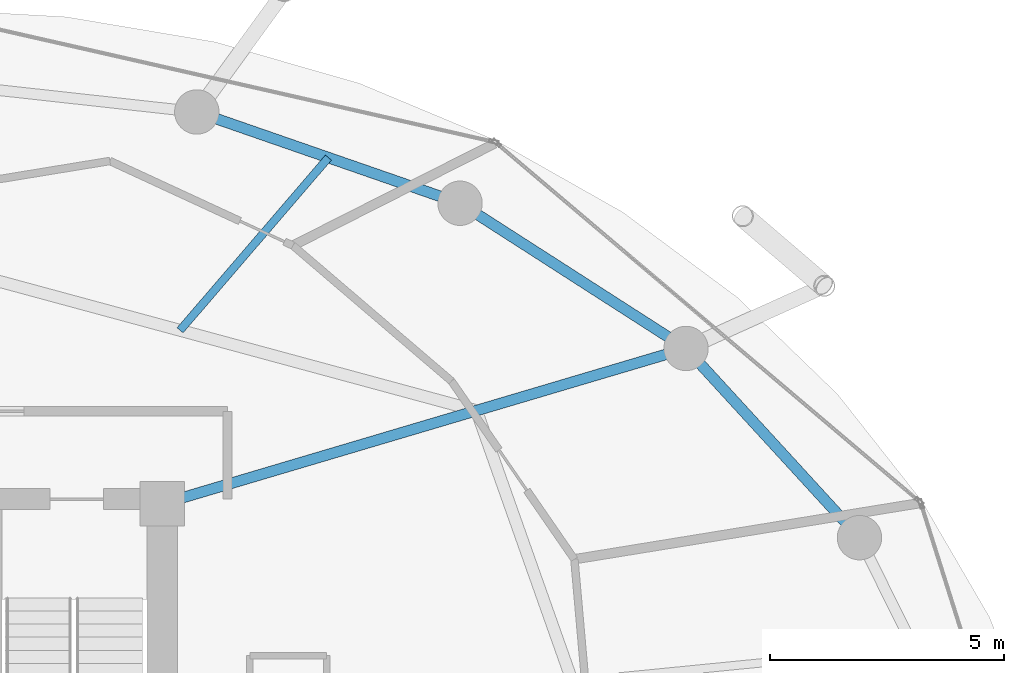
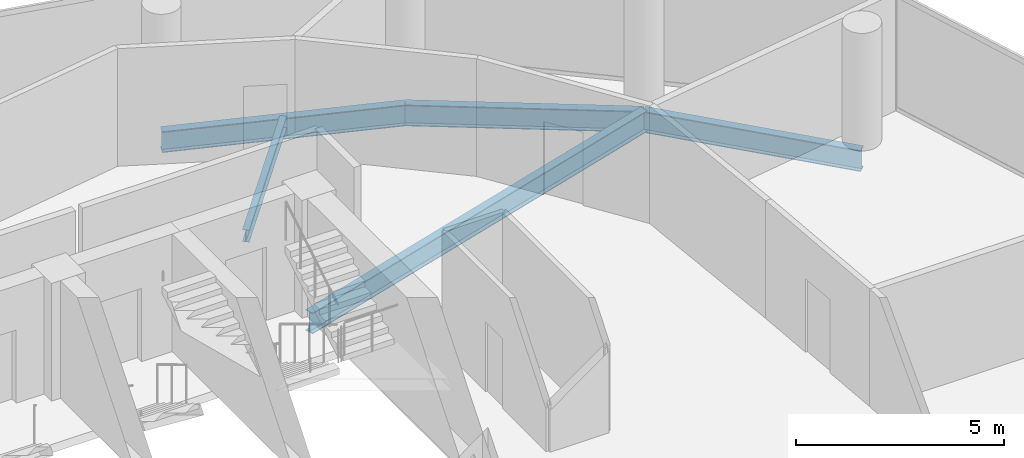
# One storey, part 18 of 26: 5 beams.
"""IFC4 building model written with IfcOpenShell, lengths in metres."""

from ifc_helpers import new_model, si_unit, direction, frame, origin, origin_2d, place, context, subcontext, project, spatial, i_section, extrude, material, material_profile, profile_set, type_object, element, save


model = new_model("IFC4")

# Units and contexts
model_context = context("Model", 3, precision=1e-05, world=origin(), true_north=direction((0.0, 1.0)))
body_context = subcontext(model_context, "Body", "Model", "MODEL_VIEW")
ifc_project = project(units=[si_unit("LENGTHUNIT", "METRE"), si_unit("AREAUNIT", "SQUARE_METRE"), si_unit("VOLUMEUNIT", "CUBIC_METRE"), si_unit("PLANEANGLEUNIT", "RADIAN"), si_unit("MASSUNIT", "GRAM", prefix="KILO")], contexts=[model_context])

# Site, building, storey
site_placement = place(None, origin())
site = spatial("IfcSite", under=ifc_project, at=site_placement, CompositionType="ELEMENT")
building_placement = place(site_placement, origin())
building = spatial("IfcBuilding", under=site, at=building_placement, Name="Nuhasar Tower", CompositionType="ELEMENT")
storey_placement = place(building_placement, frame((0.0, 0.0, 184.85009765625)))
storey = spatial("IfcBuildingStorey", under=building, at=storey_placement, Name="L45", CompositionType="ELEMENT", Elevation=184.85009765625)

# Beams
ifc_material = material(Name="Steel S355", Category="steel")
ifc_material_profile_1 = material_profile(ifc_material, i_section(OverallWidth=0.1708984375, OverallDepth=0.35205078125, WebThickness=0.0068359375, FlangeThickness=0.009765625, at=origin_2d()), Name="W14X30")
ifc_profile_set_1 = profile_set([ifc_material_profile_1], Name="Steel S355")
beam_type_1 = type_object("IfcBeamType", Name="BM-JST-W14X30", PredefinedType="JOIST", material=ifc_profile_set_1)
beam_1_placement = place(storey_placement, frame((44.68408203125, 41.011962890625, -0.426025390625), z_axis=(0.651690621509, 0.758484893612, 0.0), x_axis=(-0.758484893612, 0.651690621509, 0.0)))
element("IfcBeam", 1, at=beam_1_placement, inside=storey, type_object=beam_type_1, Name="L45 Secondary Floor Joist 05", PredefinedType="JOIST", context=body_context, shape_type="SweptSolid", body=[
    extrude(i_section(OverallWidth=0.1708984375, OverallDepth=0.35205078125, WebThickness=0.0068359375, FlangeThickness=0.009765625, at=origin_2d()), origin(), (0.0, 0.0, 1.0), 4.87158203125),
])
ifc_material_profile_2 = material_profile(ifc_material, i_section(OverallWidth=0.22900390625, OverallDepth=0.612060546875, WebThickness=0.011962890625, FlangeThickness=0.01953125, at=origin_2d()), Name="W24X84")
ifc_profile_set_2 = profile_set([ifc_material_profile_2], Name="Steel S355")
beam_type_2 = type_object("IfcBeamType", Name="BM-RAD-W24X84", PredefinedType="BEAM", material=ifc_profile_set_2)
beam_2_placement = place(storey_placement, frame((44.300048828125, 37.300048828125, -0.55615234375), z_axis=(0.958746492721, 0.284262489076, 0.0), x_axis=(-0.284262489076, 0.958746492721, 0.0)))
element("IfcBeam", 2, at=beam_2_placement, inside=storey, type_object=beam_type_2, Name="L45 Radial Floor Girder 05", PredefinedType="BEAM", context=body_context, shape_type="SweptSolid", body=[
    extrude(i_section(OverallWidth=0.22900390625, OverallDepth=0.612060546875, WebThickness=0.011962890625, FlangeThickness=0.01953125, at=origin_2d()), origin(), (0.0, 0.0, 1.0), 11.693359375),
])
ifc_material_profile_3 = material_profile(ifc_material, i_section(OverallWidth=0.22998046875, OverallDepth=0.616943359375, WebThickness=0.01318359375, FlangeThickness=0.022216796875, at=origin_2d()), Name="W24X94")
ifc_profile_set_3 = profile_set([ifc_material_profile_3], Name="Steel S355")
beam_type_3 = type_object("IfcBeamType", Name="BM-RING-W24X94", PredefinedType="SPANDREL", material=ifc_profile_set_3)
beam_3_placement = place(storey_placement, frame((59.221923828125, 36.574951171875, -0.55908203125), z_axis=(-0.675654174897, 0.737218716491, 0.0), x_axis=(-0.737218716491, -0.675654174897, 0.0)))
element("IfcBeam", 3, at=beam_3_placement, inside=storey, type_object=beam_type_3, Name="L45 Perimeter Ring Spandrel 03", PredefinedType="SPANDREL", context=body_context, shape_type="SweptSolid", body=[
    extrude(i_section(OverallWidth=0.22998046875, OverallDepth=0.616943359375, WebThickness=0.01318359375, FlangeThickness=0.022216796875, at=origin_2d()), origin(), (0.0, 0.0, 1.0), 5.492431640625),
])
beam_4_placement = place(storey_placement, frame((55.510986328125, 40.6240234375, -0.55908203125), z_axis=(-0.841327486207, 0.540525726448, 0.0), x_axis=(-0.540525726448, -0.841327486207, 0.0)))
element("IfcBeam", 4, at=beam_4_placement, inside=storey, type_object=beam_type_3, Name="L45 Perimeter Ring Spandrel 04", PredefinedType="SPANDREL", context=body_context, shape_type="SweptSolid", body=[
    extrude(i_section(OverallWidth=0.22998046875, OverallDepth=0.616943359375, WebThickness=0.01318359375, FlangeThickness=0.022216796875, at=origin_2d()), origin(), (0.0, 0.0, 1.0), 5.748046875),
])
beam_5_placement = place(storey_placement, frame((50.675048828125, 43.73095703125, -0.55908203125), z_axis=(-0.944801380051, 0.327643636066, 0.0), x_axis=(-0.327643636066, -0.944801380051, 0.0)))
element("IfcBeam", 5, at=beam_5_placement, inside=storey, type_object=beam_type_3, Name="L45 Perimeter Ring Spandrel 05", PredefinedType="SPANDREL", context=body_context, shape_type="SweptSolid", body=[
    extrude(i_section(OverallWidth=0.22998046875, OverallDepth=0.616943359375, WebThickness=0.01318359375, FlangeThickness=0.022216796875, at=origin_2d()), origin(), (0.0, 0.0, 1.0), 5.961181640625),
])

save(model, "model.ifc")
